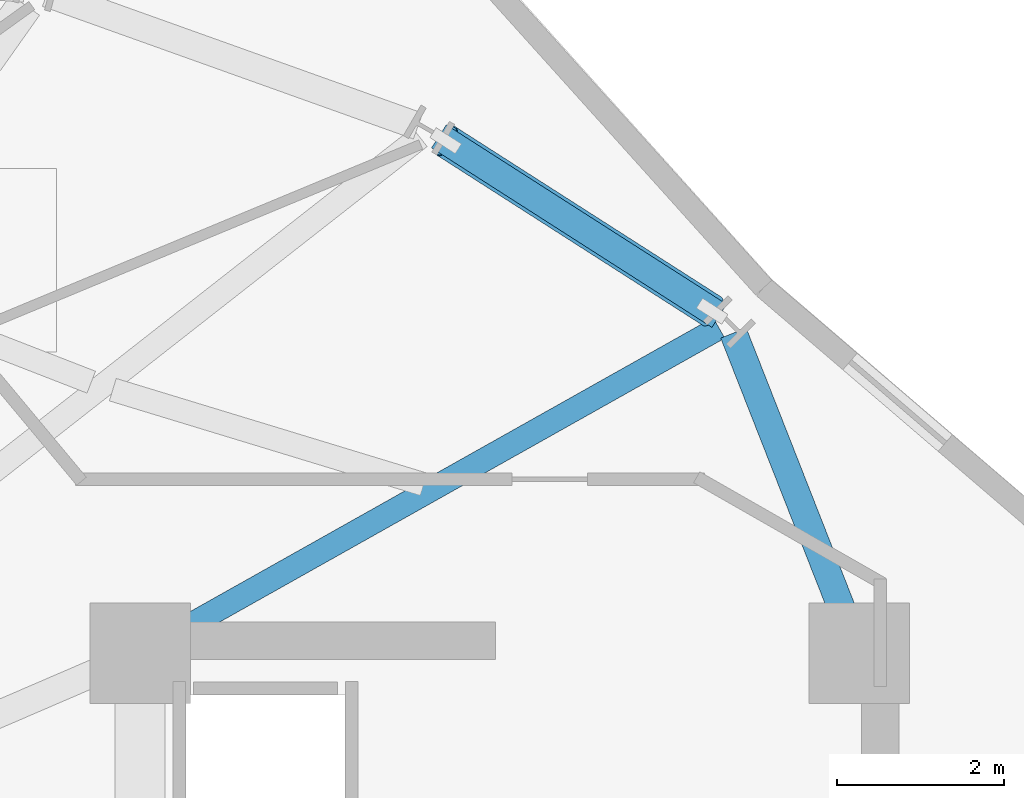
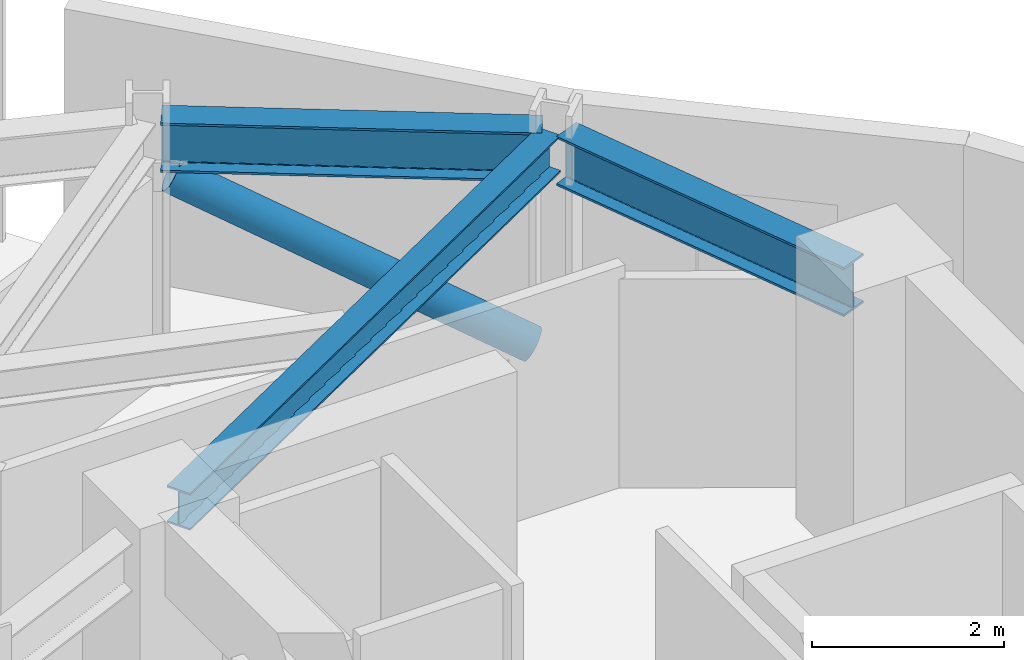
# One storey, part 7 of 19: 3 beams, 1 member.
"""IFC4 building model written with IfcOpenShell, lengths in metres."""

from ifc_helpers import new_model, si_unit, direction, frame, origin, origin_2d, place, context, subcontext, project, spatial, hollow_circle, i_section, extrude, material, material_profile, profile_set, type_object, element, save


model = new_model("IFC4")

# Units and contexts
model_context = context("Model", 3, precision=1e-05, world=origin(), true_north=direction((0.0, 1.0)))
body_context = subcontext(model_context, "Body", "Model", "MODEL_VIEW")
ifc_project = project(units=[si_unit("LENGTHUNIT", "METRE"), si_unit("AREAUNIT", "SQUARE_METRE"), si_unit("VOLUMEUNIT", "CUBIC_METRE"), si_unit("PLANEANGLEUNIT", "RADIAN"), si_unit("MASSUNIT", "GRAM", prefix="KILO")], contexts=[model_context])

# Site, building, storey
site_placement = place(None, origin())
site = spatial("IfcSite", under=ifc_project, at=site_placement, CompositionType="ELEMENT")
building_placement = place(site_placement, origin())
building = spatial("IfcBuilding", under=site, at=building_placement, Name="Solvane Sanctuary Tower", CompositionType="ELEMENT")
storey_placement = place(building_placement, frame((0.0, 0.0, 249.60009765625)))
storey = spatial("IfcBuildingStorey", under=building, at=storey_placement, Name="L76", CompositionType="ELEMENT", Elevation=249.60009765625)

# Beams
ifc_material = material(Name="Steel ASTM A992 Grade 50", Category="steel")
ifc_material_profile_1 = material_profile(ifc_material, i_section(OverallWidth=0.282958984375, OverallDepth=0.471923828125, WebThickness=0.013671875, FlangeThickness=0.022216796875, FilletRadius=0.013916015625, at=origin_2d()), Name="W18X97")
ifc_profile_set_1 = profile_set([ifc_material_profile_1], Name="Steel ASTM A992 Grade 50")
beam_type_1 = type_object("IfcBeamType", Name="Beam B-RAD-Z4 W18X97", PredefinedType="JOIST", material=ifc_profile_set_1)
beam_1_placement = place(storey_placement, frame((40.413818359375, 30.37646484375, 3.081787109375), z_axis=(0.87176037811, 0.489932488367, 0.0), x_axis=(-0.489932488367, 0.87176037811, 0.0)))
element("IfcBeam", 1, at=beam_1_placement, inside=storey, type_object=beam_type_1, Name="L76 Radial Composite Floor Beam 01", PredefinedType="JOIST", context=body_context, shape_type="SweptSolid", body=[
    extrude(i_section(OverallWidth=0.282958984375, OverallDepth=0.471923828125, WebThickness=0.013671875, FlangeThickness=0.022216796875, FilletRadius=0.013916015625, at=origin_2d()), origin(), (0.0, 0.0, 1.0), 7.581298828125),
])
ifc_material_profile_2 = material_profile(ifc_material, i_section(OverallWidth=0.327880859375, OverallDepth=0.6279296875, WebThickness=0.0166015625, FlangeThickness=0.027587890625, FilletRadius=0.01611328125, at=origin_2d()), Name="W24X146")
ifc_profile_set_2 = profile_set([ifc_material_profile_2], Name="Steel ASTM A992 Grade 50")
beam_type_2 = type_object("IfcBeamType", Name="Beam B-SPAND-Z3 W24X146", PredefinedType="SPANDREL", material=ifc_profile_set_2)
beam_2_placement = place(storey_placement, frame((43.673095703125, 36.381591796875, 3.00390625), z_axis=(0.842252471835, -0.539083271571, 0.0), x_axis=(0.539083271571, 0.842252471835, 0.0)))
element("IfcBeam", 2, at=beam_2_placement, inside=storey, type_object=beam_type_2, Name="L76 Perimeter Spandrel Beam TC02-TC01", PredefinedType="SPANDREL", context=body_context, shape_type="SweptSolid", body=[
    extrude(i_section(OverallWidth=0.327880859375, OverallDepth=0.6279296875, WebThickness=0.0166015625, FlangeThickness=0.027587890625, FilletRadius=0.01611328125, at=origin_2d()), origin(), (0.0, 0.0, 1.0), 3.982177734375),
])
beam_3_placement = place(storey_placement, frame((47.196044921875, 34.029052734375, 3.00390625), z_axis=(0.365597204344, -0.930773164727, 0.0), x_axis=(0.930773164727, 0.365597204344, 0.0)))
element("IfcBeam", 3, at=beam_3_placement, inside=storey, type_object=beam_type_2, Name="L76 Perimeter Spandrel Beam TC01-CE3", PredefinedType="SPANDREL", context=body_context, shape_type="SweptSolid", body=[
    extrude(i_section(OverallWidth=0.327880859375, OverallDepth=0.6279296875, WebThickness=0.0166015625, FlangeThickness=0.027587890625, FilletRadius=0.01611328125, at=origin_2d()), origin(), (0.0, 0.0, 1.0), 3.833740234375),
])

# Member
ifc_material_profile_3 = material_profile(ifc_material, hollow_circle(Radius=0.202880859375, WallThickness=0.012451171875, at=origin_2d()), Name="CHS406X12.5")
ifc_profile_set_3 = profile_set([ifc_material_profile_3], Name="Steel ASTM A992 Grade 50")
member_type = type_object("IfcMemberType", Name="Member M-TUBE-Z3 CHS406X12.5", PredefinedType="BRACE", material=ifc_profile_set_3)
member_placement = place(storey_placement, frame((46.93701171875, 34.29248046875, 0.513671875), z_axis=(-0.740476313264, 0.473952616824, 0.476512063332), x_axis=(-0.539092247698, -0.842246726602, 0.0)))
element("IfcMember", 4, at=member_placement, inside=storey, type_object=member_type, Name="L76 Perimeter Braced-Tube Diagonal NE", PredefinedType="BRACE", context=body_context, shape_type="SweptSolid", body=[
    extrude(hollow_circle(Radius=0.202880859375, WallThickness=0.012451171875, at=origin_2d()), origin(), (0.0, 0.0, 1.0), 4.29248046875),
])

save(model, "model.ifc")
